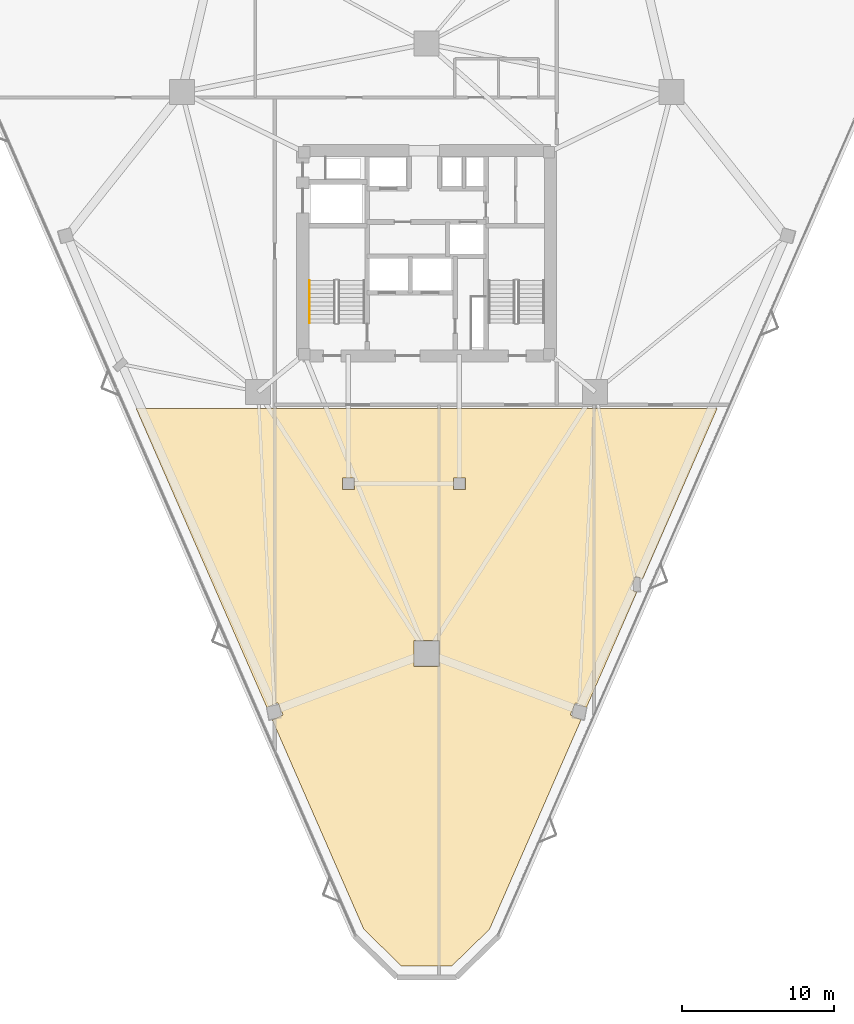
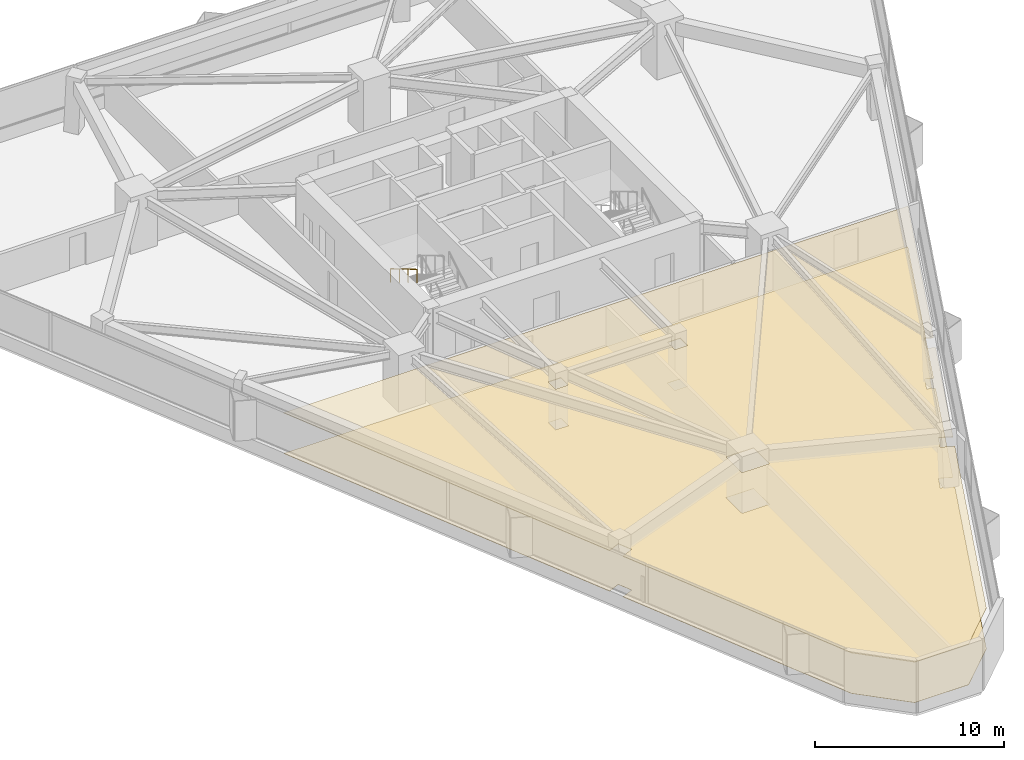
# One storey, part 17 of 18: 2 coverings, 1 railing.
"""IFC4 building model written with IfcOpenShell, lengths in metres."""

from ifc_helpers import new_model, si_unit, direction, frame, origin, origin_2d, place, context, subcontext, project, spatial, polyline, rectangle, outline, extrude, material, layer, layer_set, type_object, element, save


model = new_model("IFC4")

# Units and contexts
model_context = context("Model", 3, precision=1e-05, world=origin(), true_north=direction((0.0, 1.0)))
body_context = subcontext(model_context, "Body", "Model", "MODEL_VIEW")
ifc_project = project(units=[si_unit("LENGTHUNIT", "METRE"), si_unit("AREAUNIT", "SQUARE_METRE"), si_unit("VOLUMEUNIT", "CUBIC_METRE"), si_unit("PLANEANGLEUNIT", "RADIAN"), si_unit("MASSUNIT", "GRAM", prefix="KILO")], contexts=[model_context])

# Site, building, storey
site_placement = place(None, origin())
site = spatial("IfcSite", under=ifc_project, at=site_placement, CompositionType="ELEMENT")
building_placement = place(site_placement, origin())
building = spatial("IfcBuilding", under=site, at=building_placement, Name="Talyreon Biosciences Tower", CompositionType="ELEMENT")
storey_placement = place(building_placement, frame((0.0, 0.0, 89.60009765625)))
storey = spatial("IfcBuildingStorey", under=building, at=storey_placement, Name="L23", CompositionType="ELEMENT", Elevation=89.60009765625)

# Coverings
ifc_material_1 = material(Name="Cleanable acoustic mineral-fibre ceiling tile", Category="gypsum")
ifc_layer_1 = layer(ifc_material_1, 0.0400390625)
ifc_layer_set_1 = layer_set([ifc_layer_1], Name="Cleanable acoustic mineral-fibre ceiling tile")
covering_type_1 = type_object("IfcCoveringType", Name="AcousticCleanroomCeiling_40", PredefinedType="CEILING", material=ifc_layer_set_1)
covering_1_placement = place(storey_placement, frame((0.0, 0.0, 2.614990234375)))
element("IfcCovering", 1, at=covering_1_placement, inside=storey, type_object=covering_type_1, Name="L23 Acoustic Laboratory Ceiling", PredefinedType="CEILING", context=body_context, shape_type="SweptSolid", body=[
    extrude(outline(polyline([(85.10986328125, 57.780029296875), (80.20703125, 46.564697265625), (79.76806640625, 46.756591796875), (79.3955078125, 45.904296875), (79.834716796875, 45.71240234375), (76.513427734375, 38.114990234375), (75.79931640625, 38.42724609375), (75.44677734375, 37.620849609375), (76.160888671875, 37.30859375), (70.135986328125, 23.5263671875), (67.65380859375, 21.107421875), (64.34619140625, 21.107421875), (61.864013671875, 23.5263671875), (55.839111328125, 37.30859375), (56.55322265625, 37.620849609375), (56.20068359375, 38.42724609375), (55.486572265625, 38.114990234375), (46.89013671875, 57.780029296875), (85.10986328125, 57.780029296875)]), holes=[polyline([(66.840087890625, 40.826904296875), (66.840087890625, 42.5068359375), (65.159912109375, 42.5068359375), (65.159912109375, 40.826904296875), (66.840087890625, 40.826904296875)]), polyline([(61.239990234375, 52.449951171875), (61.239990234375, 53.22998046875), (60.4599609375, 53.22998046875), (60.4599609375, 52.449951171875), (61.239990234375, 52.449951171875)]), polyline([(67.760009765625, 52.449951171875), (68.5400390625, 52.449951171875), (68.5400390625, 53.22998046875), (67.760009765625, 53.22998046875), (67.760009765625, 52.449951171875)])]), origin(), (0.0, 0.0, 1.0), 0.039794921875),
])
ifc_material_2 = material(Name="Chemical-resistant seamless epoxy resin flooring", Category="plastic")
ifc_layer_2 = layer(ifc_material_2, 0.014892578125)
ifc_layer_set_2 = layer_set([ifc_layer_2], Name="Chemical-resistant seamless epoxy resin flooring")
covering_type_2 = type_object("IfcCoveringType", Name="SeamlessEpoxyLabFlooring_15", PredefinedType="FLOORING", material=ifc_layer_set_2)
covering_2_placement = place(storey_placement, origin())
element("IfcCovering", 2, at=covering_2_placement, inside=storey, type_object=covering_type_2, Name="L23 Laboratory Floor Finish", PredefinedType="FLOORING", context=body_context, shape_type="SweptSolid", body=[
    extrude(outline(polyline([(85.10986328125, 57.780029296875), (80.20703125, 46.564697265625), (79.76806640625, 46.756591796875), (79.3955078125, 45.904296875), (79.834716796875, 45.71240234375), (76.513427734375, 38.114990234375), (75.79931640625, 38.42724609375), (75.44677734375, 37.620849609375), (76.160888671875, 37.30859375), (70.135986328125, 23.5263671875), (67.65380859375, 21.107421875), (64.34619140625, 21.107421875), (61.864013671875, 23.5263671875), (55.839111328125, 37.30859375), (56.55322265625, 37.620849609375), (56.20068359375, 38.42724609375), (55.486572265625, 38.114990234375), (46.89013671875, 57.780029296875), (85.10986328125, 57.780029296875)]), holes=[polyline([(66.840087890625, 40.826904296875), (66.840087890625, 42.5068359375), (65.159912109375, 42.5068359375), (65.159912109375, 40.826904296875), (66.840087890625, 40.826904296875)]), polyline([(61.239990234375, 52.449951171875), (61.239990234375, 53.22998046875), (60.4599609375, 53.22998046875), (60.4599609375, 52.449951171875), (61.239990234375, 52.449951171875)]), polyline([(67.760009765625, 52.449951171875), (68.5400390625, 52.449951171875), (68.5400390625, 53.22998046875), (67.760009765625, 53.22998046875), (67.760009765625, 52.449951171875)])]), origin(), (0.0, 0.0, 1.0), 0.014892578125),
])

# Railing
ifc_material_3 = material(Name="Brushed stainless-steel tubular handrail", Category="steel")
railing_type = type_object("IfcRailingType", Name="StairWallHandrail_900", PredefinedType="HANDRAIL", material=ifc_material_3)
railing_placement = place(storey_placement, frame((58.300048828125, 66.199951171875, 1.99072265625)))
element("IfcRailing", 3, at=railing_placement, inside=storey, type_object=railing_type, Name="L23 ST-1 stair handrail 2", PredefinedType="HANDRAIL", context=body_context, shape_type="SweptSolid", body=[
    extrude(rectangle(XDim=0.048095703125, YDim=0.048095703125, at=origin_2d()), frame((0.0, 0.0, 0.8759765625), z_axis=(0.0, -0.860306154799, 0.50977771628), x_axis=(1.0, 0.0, 0.0)), (0.0, 0.0, 1.0), 3.254638671875),
    extrude(rectangle(XDim=0.0419921875, YDim=0.0419921875, at=origin_2d()), origin(), (0.0, 0.0, 1.0), 0.851806640625),
    extrude(rectangle(XDim=0.0419921875, YDim=0.0419921875, at=origin_2d()), frame((0.0, -0.933349609375, 0.552978515625)), (0.0, 0.0, 1.0), 0.851806640625),
    extrude(rectangle(XDim=0.0419921875, YDim=0.0419921875, at=origin_2d()), frame((0.0, -1.86669921875, 1.106201171875)), (0.0, 0.0, 1.0), 0.851806640625),
    extrude(rectangle(XDim=0.0419921875, YDim=0.0419921875, at=origin_2d()), frame((0.0, -2.800048828125, 1.6591796875)), (0.0, 0.0, 1.0), 0.851806640625),
])

save(model, "model.ifc")
